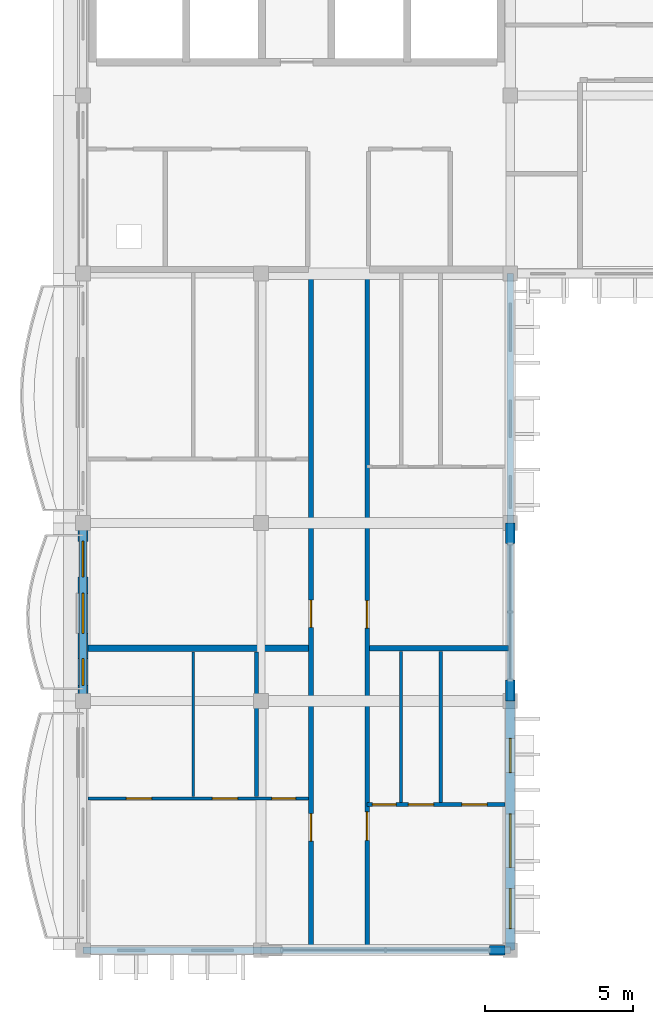
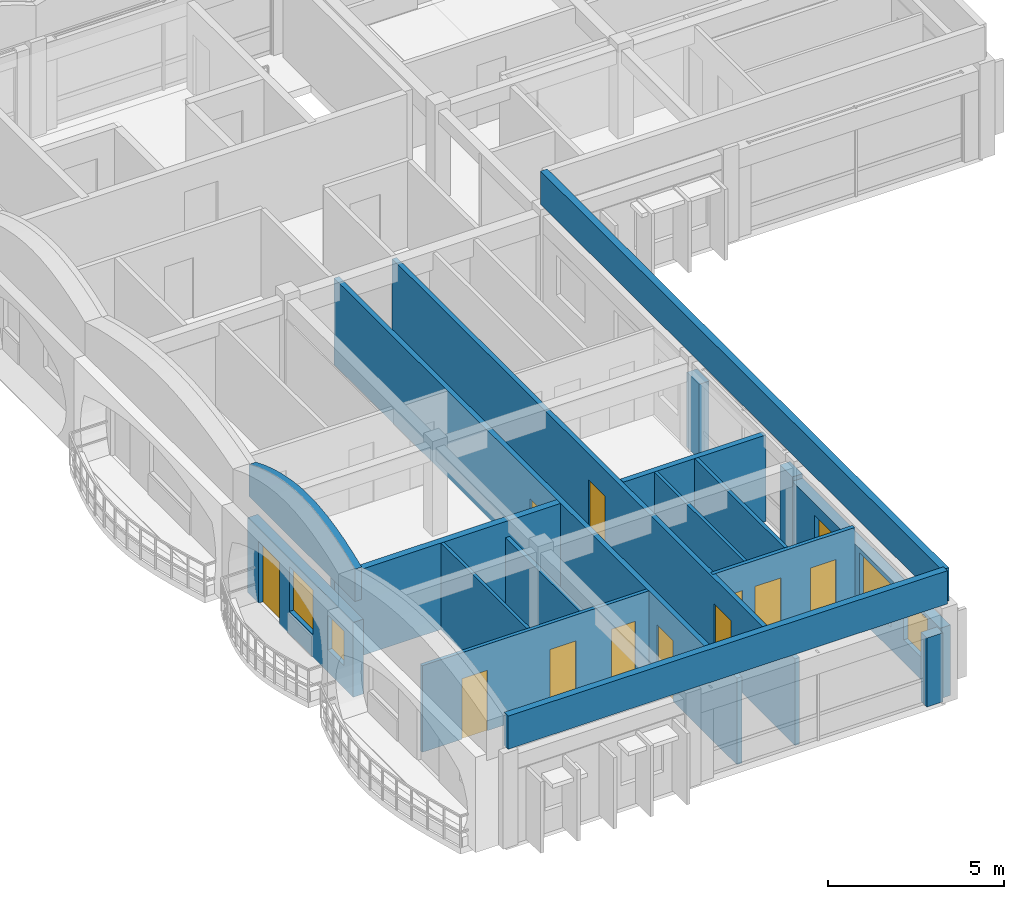
# One storey, part 5 of 12: 18 walls, 11 doors, 5 windows, 16 openings.
"""IFC4 building model written with IfcOpenShell, lengths in metres."""

from ifc_helpers import new_model, si_unit, direction, frame, frame_2d, origin, place, context, subcontext, project, spatial, polyline, rectangle, outline, extrude, material, layer, layer_set, type_object, element, fill, save


model = new_model("IFC4")

# Units and contexts
model_context = context("Model", 3, precision=1e-05, world=origin(), true_north=direction((0.0, 1.0)))
body_context = subcontext(model_context, "Body", "Model", "MODEL_VIEW")
ifc_project = project(units=[si_unit("LENGTHUNIT", "METRE"), si_unit("AREAUNIT", "SQUARE_METRE"), si_unit("VOLUMEUNIT", "CUBIC_METRE"), si_unit("PLANEANGLEUNIT", "RADIAN"), si_unit("MASSUNIT", "GRAM", prefix="KILO"), si_unit("THERMODYNAMICTEMPERATUREUNIT", "KELVIN")], contexts=[model_context])

# Site, building, storey
site_placement = place(None, origin())
site = spatial("IfcSite", under=ifc_project, at=site_placement, CompositionType="ELEMENT")
building_placement = place(site_placement, origin())
building = spatial("IfcBuilding", under=site, at=building_placement, Name="Thalorik Housing Commons", CompositionType="ELEMENT")
storey_placement = place(building_placement, frame((0.0, 0.0, 51.0)))
storey = spatial("IfcBuildingStorey", under=building, at=storey_placement, Name="L15", CompositionType="ELEMENT", Elevation=51.0)

# Wall, openings, doors
ifc_material_1 = material(Name="Masonry fire-rated corridor wall", Category="masonry")
ifc_layer_1 = layer(ifc_material_1, 0.14990234375, Name="Masonry fire-rated corridor wall", Category="masonry")
ifc_layer_set_1 = layer_set([ifc_layer_1], Name="Masonry fire-rated corridor wall")
wall_type_1 = type_object("IfcWallType", Name="ARC-WAL-CORR-150", PredefinedType="PARTITIONING", material=ifc_layer_set_1)
wall_1_placement = place(storey_placement, frame((17.97998046875, 86.4599609375, 0.0), z_axis=(0.0, 0.0, 1.0), x_axis=(0.0, 1.0, 0.0)))
wall_1 = element("IfcWall", 1, at=wall_1_placement, inside=storey, type_object=wall_type_1, Name="L15 Block A W Corridor Wall 2", PredefinedType="PARTITIONING", context=body_context, shape_type="SweptSolid", body=[
    extrude(rectangle(XDim=22.880126953125, YDim=0.14990234375, at=frame_2d((11.43994140625, 0.0))), origin(), (0.0, 0.0, 1.0), 3.0),
])
opening_1_placement = place(wall_1_placement, frame((3.642822265625, 0.0, 0.0)))
opening_1 = element("IfcOpeningElement", 2, at=opening_1_placement, cuts=wall_1, Name="Opening ID-0995", PredefinedType="OPENING", context=body_context, shape_type="SweptSolid", body=[
    extrude(rectangle(XDim=0.9599609375, YDim=2.1201171875, at=frame_2d((0.47998046875, 1.06005859375))), frame((0.0, 0.0849609375, 0.0), z_axis=(0.0, -1.0, 0.0), x_axis=(1.0, 0.0, 0.0)), (0.0, 0.0, 1.0), 0.169921875),
])
opening_2_placement = place(wall_1_placement, frame((10.7978515625, 0.0, 0.0)))
opening_2 = element("IfcOpeningElement", 3, at=opening_2_placement, cuts=wall_1, Name="Opening ID-0996", PredefinedType="OPENING", context=body_context, shape_type="SweptSolid", body=[
    extrude(rectangle(XDim=0.919921875, YDim=2.10009765625, at=frame_2d((0.4599609375, 1.050048828125))), frame((0.0, 0.0849609375, 0.0), z_axis=(0.0, -1.0, 0.0), x_axis=(1.0, 0.0, 0.0)), (0.0, 0.0, 1.0), 0.169921875),
])
ifc_material_2 = material(Name="Solid core hardwood timber", Category="wood")
door_type_1 = type_object("IfcDoorType", Name="ARC-DR-FD30-920", OperationType="NOTDEFINED", PredefinedType="DOOR", material=ifc_material_2)
door_1_placement = place(opening_2_placement, origin())
door_1 = element("IfcDoor", 4, at=door_1_placement, inside=storey, type_object=door_type_1, Name="L15 Flat AW-2B Entrance Door", OperationType="SINGLE_SWING_LEFT", OverallHeight=2.10009765625, OverallWidth=0.919921875, PredefinedType="DOOR", context=body_context, shape_type="SweptSolid", body=[
    extrude(rectangle(XDim=0.919921875, YDim=2.10009765625, at=frame_2d((0.4599609375, 1.050048828125))), frame((0.0, 0.02490234375, 0.0), z_axis=(0.0, -1.0, 0.0), x_axis=(1.0, 0.0, 0.0)), (0.0, 0.0, 1.0), 0.050048828125),
])
fill(opening_2, door_1)
door_type_2 = type_object("IfcDoorType", Name="ARC-DR-FD30-960", OperationType="NOTDEFINED", PredefinedType="DOOR", material=ifc_material_2)
door_2_placement = place(opening_1_placement, origin())
door_2 = element("IfcDoor", 5, at=door_2_placement, inside=storey, type_object=door_type_2, Name="L15 Flat AW-1B Entrance Door", OperationType="SINGLE_SWING_RIGHT", OverallHeight=2.1201171875, OverallWidth=0.9599609375, PredefinedType="DOOR", context=body_context, shape_type="SweptSolid", body=[
    extrude(rectangle(XDim=0.9599609375, YDim=2.1201171875, at=frame_2d((0.47998046875, 1.06005859375))), frame((0.0, 0.02490234375, 0.0), z_axis=(0.0, -1.0, 0.0), x_axis=(1.0, 0.0, 0.0)), (0.0, 0.0, 1.0), 0.050048828125),
])
fill(opening_1, door_2)

ifc_layer_2 = layer(ifc_material_1, 0.1650390625, Name="Masonry fire-rated corridor wall", Category="masonry")
ifc_layer_set_2 = layer_set([ifc_layer_2], Name="Masonry fire-rated corridor wall")
wall_type_2 = type_object("IfcWallType", Name="ARC-WAL-CORR-165", PredefinedType="PARTITIONING", material=ifc_layer_set_2)
wall_2_placement = place(storey_placement, frame((16.080078125, 86.4599609375, 0.0), z_axis=(0.0, 0.0, 1.0), x_axis=(0.0, 1.0, 0.0)))
wall_2 = element("IfcWall", 6, at=wall_2_placement, inside=storey, type_object=wall_type_2, Name="L15 Block A W Corridor Wall 1", PredefinedType="PARTITIONING", context=body_context, shape_type="SweptSolid", body=[
    extrude(rectangle(XDim=22.880126953125, YDim=0.1650390625, at=frame_2d((11.43994140625, 0.0))), origin(), (0.0, 0.0, 1.0), 3.0),
])
opening_3_placement = place(wall_2_placement, frame((3.620361328125, 0.0, 0.0)))
opening_3 = element("IfcOpeningElement", 7, at=opening_3_placement, cuts=wall_2, Name="Opening ID-0993", PredefinedType="OPENING", context=body_context, shape_type="SweptSolid", body=[
    extrude(rectangle(XDim=0.919921875, YDim=2.10009765625, at=frame_2d((0.4599609375, 1.050048828125))), frame((0.0, 0.092529296875, 0.0), z_axis=(0.0, -1.0, 0.0), x_axis=(1.0, 0.0, 0.0)), (0.0, 0.0, 1.0), 0.18505859375),
])
opening_4_placement = place(wall_2_placement, frame((10.82177734375, 0.0, 0.0)))
opening_4 = element("IfcOpeningElement", 8, at=opening_4_placement, cuts=wall_2, Name="Opening ID-0994", PredefinedType="OPENING", context=body_context, shape_type="SweptSolid", body=[
    extrude(rectangle(XDim=0.919921875, YDim=2.10009765625, at=frame_2d((0.4599609375, 1.050048828125))), frame((0.0, 0.092529296875, 0.0), z_axis=(0.0, -1.0, 0.0), x_axis=(1.0, 0.0, 0.0)), (0.0, 0.0, 1.0), 0.18505859375),
])
door_3_placement = place(opening_3_placement, origin())
door_3 = element("IfcDoor", 9, at=door_3_placement, inside=storey, type_object=door_type_1, Name="L15 Flat AW-1A Entrance Door", OperationType="SINGLE_SWING_RIGHT", OverallHeight=2.10009765625, OverallWidth=0.919921875, PredefinedType="DOOR", context=body_context, shape_type="SweptSolid", body=[
    extrude(rectangle(XDim=0.919921875, YDim=2.10009765625, at=frame_2d((0.4599609375, 1.050048828125))), frame((0.0, 0.02490234375, 0.0), z_axis=(0.0, -1.0, 0.0), x_axis=(1.0, 0.0, 0.0)), (0.0, 0.0, 1.0), 0.050048828125),
])
fill(opening_3, door_3)
door_4_placement = place(opening_4_placement, origin())
door_4 = element("IfcDoor", 10, at=door_4_placement, inside=storey, type_object=door_type_1, Name="L15 Flat AW-2A Entrance Door", OperationType="SINGLE_SWING_LEFT", OverallHeight=2.10009765625, OverallWidth=0.919921875, PredefinedType="DOOR", context=body_context, shape_type="SweptSolid", body=[
    extrude(rectangle(XDim=0.919921875, YDim=2.10009765625, at=frame_2d((0.4599609375, 1.050048828125))), frame((0.0, 0.02490234375, 0.0), z_axis=(0.0, -1.0, 0.0), x_axis=(1.0, 0.0, 0.0)), (0.0, 0.0, 1.0), 0.050048828125),
])
fill(opening_4, door_4)

# Wall, openings, door, windows
ifc_material_3 = material(Name="White precast concrete C40/50", Category="concrete")
ifc_layer_3 = layer(ifc_material_3, 0.3349609375, Name="White precast concrete C40/50", Category="concrete")
ifc_layer_set_3 = layer_set([ifc_layer_3], Name="White precast concrete C40/50")
wall_type_3 = type_object("IfcWallType", Name="ARC-WAL-EXT-335", PredefinedType="STANDARD", material=ifc_layer_set_3)
wall_3_placement = place(storey_placement, frame((8.39990234375, 100.800048828125, 0.0), z_axis=(0.0, 0.0, 1.0), x_axis=(0.0, -1.0, 0.0)))
wall_3 = element("IfcWall", 11, at=wall_3_placement, inside=storey, type_object=wall_type_3, Name="L15 Exterior Wall WAL-EXT-L15-A-0362", PredefinedType="STANDARD", context=body_context, shape_type="SweptSolid", body=[
    extrude(rectangle(XDim=6.0, YDim=0.3349609375, at=frame_2d((3.0, 0.0))), origin(), (0.0, 0.0, 1.0), 2.594970703125),
])
opening_5_placement = place(wall_3_placement, frame((0.6201171875, 0.0, 0.0)))
opening_5 = element("IfcOpeningElement", 12, at=opening_5_placement, cuts=wall_3, Name="Opening ED-0114", PredefinedType="OPENING", context=body_context, shape_type="SweptSolid", body=[
    extrude(rectangle(XDim=1.199951171875, YDim=2.14990234375, at=frame_2d((0.60009765625, 1.074951171875))), frame((0.0, 0.177490234375, 0.0), z_axis=(0.0, -1.0, 0.0), x_axis=(1.0, 0.0, 0.0)), (0.0, 0.0, 1.0), 0.35498046875),
])
opening_6_placement = place(wall_3_placement, frame((2.375, 0.0, 0.780029296875)))
opening_6 = element("IfcOpeningElement", 13, at=opening_6_placement, cuts=wall_3, Name="Opening W-07", PredefinedType="OPENING", context=body_context, shape_type="SweptSolid", body=[
    extrude(rectangle(XDim=1.35009765625, YDim=1.550048828125, at=frame_2d((0.675048828125, 0.77490234375))), frame((0.0, 0.177490234375, 0.0), z_axis=(0.0, -1.0, 0.0), x_axis=(1.0, 0.0, 0.0)), (0.0, 0.0, 1.0), 0.35498046875),
])
opening_7_placement = place(wall_3_placement, frame((4.570068359375, 0.0, 0.780029296875)))
opening_7 = element("IfcOpeningElement", 14, at=opening_7_placement, cuts=wall_3, Name="Opening W-01", PredefinedType="OPENING", context=body_context, shape_type="SweptSolid", body=[
    extrude(rectangle(XDim=0.89990234375, YDim=1.199951171875, at=frame_2d((0.449951171875, 0.60009765625))), frame((0.0, 0.177490234375, 0.0), z_axis=(0.0, -1.0, 0.0), x_axis=(1.0, 0.0, 0.0)), (0.0, 0.0, 1.0), 0.35498046875),
])
ifc_material_4 = material(Name="Anodised aluminium and laminated safety glass", Category="aluminium")
door_type_3 = type_object("IfcDoorType", Name="ARC-DR-BAL-1200", OperationType="NOTDEFINED", PredefinedType="DOOR", material=ifc_material_4)
door_5_placement = place(opening_5_placement, frame((1.199951171875, 0.0, 0.0), z_axis=(0.0, 0.0, 1.0), x_axis=(-1.0, 0.0, 0.0)))
door_5 = element("IfcDoor", 15, at=door_5_placement, inside=storey, type_object=door_type_3, Name="L15 Block A Balcony Glazed Door", OperationType="SINGLE_SWING_LEFT", OverallHeight=2.14990234375, OverallWidth=1.199951171875, PredefinedType="DOOR", context=body_context, shape_type="SweptSolid", body=[
    extrude(rectangle(XDim=1.199951171875, YDim=2.14990234375, at=frame_2d((0.60009765625, 1.074951171875))), frame((0.0, 0.02490234375, 0.0), z_axis=(0.0, -1.0, 0.0), x_axis=(1.0, 0.0, 0.0)), (0.0, 0.0, 1.0), 0.050048828125),
])
fill(opening_5, door_5)
ifc_material_5 = material(Name="Anodised aluminium and solar-control low-E glass", Category="aluminium")
window_type_1 = type_object("IfcWindowType", Name="ARC-WIN-01", PartitioningType="SINGLE_PANEL", PredefinedType="WINDOW", material=ifc_material_5)
window_1_placement = place(opening_7_placement, origin())
window_1 = element("IfcWindow", 16, at=window_1_placement, inside=storey, type_object=window_type_1, Name="L15 Facade Window 644", OverallHeight=1.199951171875, OverallWidth=0.89990234375, PartitioningType="SINGLE_PANEL", PredefinedType="WINDOW", context=body_context, shape_type="SweptSolid", body=[
    extrude(rectangle(XDim=0.89990234375, YDim=1.199951171875, at=frame_2d((0.449951171875, 0.60009765625))), frame((0.0, 0.030029296875, 0.0), z_axis=(0.0, -1.0, 0.0), x_axis=(1.0, 0.0, 0.0)), (0.0, 0.0, 1.0), 0.06005859375),
])
fill(opening_7, window_1)
window_type_2 = type_object("IfcWindowType", Name="ARC-WIN-07", PartitioningType="SINGLE_PANEL", PredefinedType="WINDOW", material=ifc_material_5)
window_2_placement = place(opening_6_placement, origin())
window_2 = element("IfcWindow", 17, at=window_2_placement, inside=storey, type_object=window_type_2, Name="L15 Facade Window 643", OverallHeight=1.550048828125, OverallWidth=1.35009765625, PartitioningType="SINGLE_PANEL", PredefinedType="WINDOW", context=body_context, shape_type="SweptSolid", body=[
    extrude(rectangle(XDim=1.35009765625, YDim=1.550048828125, at=frame_2d((0.675048828125, 0.77490234375))), frame((0.0, 0.030029296875, 0.0), z_axis=(0.0, -1.0, 0.0), x_axis=(1.0, 0.0, 0.0)), (0.0, 0.0, 1.0), 0.06005859375),
])
fill(opening_6, window_2)

# Wall
wall_4_placement = place(storey_placement, frame((22.10009765625, 86.39990234375, 0.0), z_axis=(0.0, 0.0, 1.0), x_axis=(1.0, 0.0, 0.0)))
element("IfcWall", 18, at=wall_4_placement, inside=storey, type_object=wall_type_3, Name="L15 Exterior Wall WAL-PIERR-L15-A-0365", PredefinedType="STANDARD", context=body_context, shape_type="SweptSolid", body=[
    extrude(rectangle(XDim=0.530517578125, YDim=0.3349609375, at=frame_2d((0.26513671875, 0.0))), origin(), (0.0, 0.0, 1.0), 2.39501953125),
])

# Wall, openings, windows
wall_5_placement = place(storey_placement, frame((22.800048828125, 86.39990234375, 0.0), z_axis=(0.0, 0.0, 1.0), x_axis=(0.0, 1.0, 0.0)))
wall_5 = element("IfcWall", 19, at=wall_5_placement, inside=storey, type_object=wall_type_3, Name="L15 Exterior Wall WAL-EXT-L15-A-0366", PredefinedType="STANDARD", context=body_context, shape_type="SweptSolid", body=[
    extrude(rectangle(XDim=8.400146484375, YDim=0.3349609375, at=frame_2d((4.2001953125, 0.0))), origin(), (0.0, 0.0, 1.0), 2.445068359375),
])
opening_8_placement = place(wall_5_placement, frame((0.730712890625, 0.0, 0.780029296875)))
opening_8 = element("IfcOpeningElement", 20, at=opening_8_placement, cuts=wall_5, Name="Opening W-07", PredefinedType="OPENING", context=body_context, shape_type="SweptSolid", body=[
    extrude(rectangle(XDim=1.35009765625, YDim=1.550048828125, at=frame_2d((0.675048828125, 0.77490234375))), frame((0.0, 0.177490234375, 0.0), z_axis=(0.0, -1.0, 0.0), x_axis=(1.0, 0.0, 0.0)), (0.0, 0.0, 1.0), 0.35498046875),
])
opening_9_placement = place(wall_5_placement, frame((2.797119140625, 0.0, 0.780029296875)))
opening_9 = element("IfcOpeningElement", 21, at=opening_9_placement, cuts=wall_5, Name="Opening W-18", PredefinedType="OPENING", context=body_context, shape_type="SweptSolid", body=[
    extrude(rectangle(XDim=1.800048828125, YDim=1.5, at=frame_2d((0.89990234375, 0.75))), frame((0.0, 0.177490234375, 0.0), z_axis=(0.0, -1.0, 0.0), x_axis=(1.0, 0.0, 0.0)), (0.0, 0.0, 1.0), 0.35498046875),
])
opening_10_placement = place(wall_5_placement, frame((5.986328125, 0.0, 0.780029296875)))
opening_10 = element("IfcOpeningElement", 22, at=opening_10_placement, cuts=wall_5, Name="Opening W-45", PredefinedType="OPENING", context=body_context, shape_type="SweptSolid", body=[
    extrude(rectangle(XDim=1.14990234375, YDim=1.25, at=frame_2d((0.574951171875, 0.625))), frame((0.0, 0.177490234375, 0.0), z_axis=(0.0, -1.0, 0.0), x_axis=(1.0, 0.0, 0.0)), (0.0, 0.0, 1.0), 0.35498046875),
])
window_3_placement = place(opening_8_placement, origin())
window_3 = element("IfcWindow", 23, at=window_3_placement, inside=storey, type_object=window_type_2, Name="L15 Facade Window 649", OverallHeight=1.550048828125, OverallWidth=1.35009765625, PartitioningType="SINGLE_PANEL", PredefinedType="WINDOW", context=body_context, shape_type="SweptSolid", body=[
    extrude(rectangle(XDim=1.35009765625, YDim=1.550048828125, at=frame_2d((0.675048828125, 0.77490234375))), frame((0.0, 0.030029296875, 0.0), z_axis=(0.0, -1.0, 0.0), x_axis=(1.0, 0.0, 0.0)), (0.0, 0.0, 1.0), 0.06005859375),
])
fill(opening_8, window_3)
window_type_3 = type_object("IfcWindowType", Name="ARC-WIN-18", PartitioningType="DOUBLE_PANEL_VERTICAL", PredefinedType="WINDOW", material=ifc_material_5)
window_4_placement = place(opening_9_placement, origin())
window_4 = element("IfcWindow", 24, at=window_4_placement, inside=storey, type_object=window_type_3, Name="L15 Facade Window 650", OverallHeight=1.5, OverallWidth=1.800048828125, PartitioningType="DOUBLE_PANEL_VERTICAL", PredefinedType="WINDOW", context=body_context, shape_type="SweptSolid", body=[
    extrude(rectangle(XDim=1.800048828125, YDim=1.5, at=frame_2d((0.89990234375, 0.75))), frame((0.0, 0.030029296875, 0.0), z_axis=(0.0, -1.0, 0.0), x_axis=(1.0, 0.0, 0.0)), (0.0, 0.0, 1.0), 0.06005859375),
])
fill(opening_9, window_4)
window_type_4 = type_object("IfcWindowType", Name="ARC-WIN-45", PartitioningType="SINGLE_PANEL", PredefinedType="WINDOW", material=ifc_material_5)
window_5_placement = place(opening_10_placement, origin())
window_5 = element("IfcWindow", 25, at=window_5_placement, inside=storey, type_object=window_type_4, Name="L15 Facade Window 651", OverallHeight=1.25, OverallWidth=1.14990234375, PartitioningType="SINGLE_PANEL", PredefinedType="WINDOW", context=body_context, shape_type="SweptSolid", body=[
    extrude(rectangle(XDim=1.14990234375, YDim=1.25, at=frame_2d((0.574951171875, 0.625))), frame((0.0, 0.030029296875, 0.0), z_axis=(0.0, -1.0, 0.0), x_axis=(1.0, 0.0, 0.0)), (0.0, 0.0, 1.0), 0.06005859375),
])
fill(opening_10, window_5)

# Walls
for number, where, z_axis, x_axis, name in (
    (26, (22.800048828125, 94.800048828125, 0.0), (0.0, 0.0, 1.0), (0.0, 1.0, 0.0), "L15 Exterior Wall WAL-PIERL-L15-A-0367"),
    (27, (22.800048828125, 100.10009765625, 0.0), (0.0, 0.0, 1.0), (0.0, 1.0, 0.0), "L15 Exterior Wall WAL-PIERR-L15-A-0367"),
):
    element("IfcWall", number, at=place(storey_placement, frame(where, z_axis=z_axis, x_axis=x_axis)), inside=storey, type_object=wall_type_3, Name=name, PredefinedType="STANDARD", context=body_context, shape_type="SweptSolid", body=[
        extrude(rectangle(XDim=0.699951171875, YDim=0.3349609375, at=frame_2d((0.35009765625, 0.0))), origin(), (0.0, 0.0, 1.0), 2.594970703125),
    ])
ifc_layer_4 = layer(ifc_material_3, 0.22509765625, Name="White precast concrete C40/50", Category="concrete")
ifc_layer_set_4 = layer_set([ifc_layer_4], Name="White precast concrete C40/50")
wall_type_4 = type_object("IfcWallType", Name="ARC-WAL-PAR-225", PredefinedType="PARAPET", material=ifc_layer_set_4)
wall_6_placement = place(storey_placement, frame((8.39990234375, 100.800048828125, 3.300048828125), z_axis=(0.0, 0.0, 1.0), x_axis=(0.0, -1.0, 0.0)))
element("IfcWall", 28, at=wall_6_placement, inside=storey, type_object=wall_type_4, Name="L15 Block A Scalloped Arched Roof Parapet 10", PredefinedType="PARAPET", context=body_context, shape_type="SweptSolid", body=[
    extrude(outline(polyline([(0.0, 0.0), (6.0, 0.0), (6.0, 1.119873046875), (5.5, 1.321533203125), (5.0, 1.484375), (4.5, 1.61767578125), (4.0, 1.71728515625), (3.5, 1.779052734375), (3.0, 1.800048828125), (2.5, 1.779052734375), (2.0, 1.71728515625), (1.5, 1.61767578125), (1.0, 1.484375), (0.5, 1.321533203125), (0.0, 1.119873046875), (0.0, 0.0)])), frame((0.0, 0.112548828125, 0.0), z_axis=(0.0, -1.0, 0.0), x_axis=(1.0, 0.0, 0.0)), (0.0, 0.0, 1.0), 0.22509765625),
])
wall_7_placement = place(storey_placement, frame((8.39990234375, 86.39990234375, 3.300048828125), z_axis=(0.0, 0.0, 1.0), x_axis=(1.0, 0.0, 0.0)))
element("IfcWall", 29, at=wall_7_placement, inside=storey, type_object=wall_type_4, Name="L15 Block A Roof Parapet 12", PredefinedType="PARAPET", context=body_context, shape_type="SweptSolid", body=[
    extrude(rectangle(XDim=14.400146484375, YDim=0.22509765625, at=frame_2d((7.2001953125, 0.0))), origin(), (0.0, 0.0, 1.0), 1.14990234375),
])
wall_8_placement = place(storey_placement, frame((22.800048828125, 86.39990234375, 3.300048828125), z_axis=(0.0, 0.0, 1.0), x_axis=(0.0, 1.0, 0.0)))
element("IfcWall", 30, at=wall_8_placement, inside=storey, type_object=wall_type_4, Name="L15 Block A Roof Parapet 13", PredefinedType="PARAPET", context=body_context, shape_type="SweptSolid", body=[
    extrude(rectangle(XDim=22.800048828125, YDim=0.22509765625, at=frame_2d((11.39990234375, 0.0))), origin(), (0.0, 0.0, 1.0), 1.14990234375),
])
ifc_material_6 = material(Name="Gypsum light stud partition", Category="masonry")
ifc_layer_5 = layer(ifc_material_6, 0.10009765625, Name="Gypsum light stud partition", Category="masonry")
ifc_layer_set_5 = layer_set([ifc_layer_5], Name="Gypsum light stud partition")
wall_type_5 = type_object("IfcWallType", Name="ARC-WAL-PART-100", PredefinedType="PARTITIONING", material=ifc_layer_set_5)
wall_9_placement = place(storey_placement, frame((12.11767578125, 91.574462890625, 0.0), z_axis=(0.0, 0.0, 1.0), x_axis=(0.0, 1.0, 0.0)))
element("IfcWall", 31, at=wall_9_placement, inside=storey, type_object=wall_type_5, Name="L15 Unit 1 Bedroom Partition", PredefinedType="PARTITIONING", context=body_context, shape_type="SweptSolid", body=[
    extrude(rectangle(XDim=4.883544921875, YDim=0.10009765625, at=frame_2d((2.44189453125, 0.0))), origin(), (0.0, 0.0, 1.0), 3.0),
])
wall_10_placement = place(storey_placement, frame((19.122314453125, 91.377197265625, 0.0), z_axis=(0.0, 0.0, 1.0), x_axis=(0.0, 1.0, 0.0)))
element("IfcWall", 32, at=wall_10_placement, inside=storey, type_object=wall_type_5, Name="L15 Unit 1B Wet Wall", PredefinedType="PARTITIONING", context=body_context, shape_type="SweptSolid", body=[
    extrude(rectangle(XDim=5.098388671875, YDim=0.10009765625, at=frame_2d((2.54931640625, 0.0))), origin(), (0.0, 0.0, 1.0), 3.0),
])

# Wall, openings, doors
ifc_material_7 = material(Name="Gypsum moisture-resistant partition", Category="masonry")
ifc_layer_6 = layer(ifc_material_7, 0.114990234375, Name="Gypsum moisture-resistant partition", Category="masonry")
ifc_layer_set_6 = layer_set([ifc_layer_6], Name="Gypsum moisture-resistant partition")
wall_type_6 = type_object("IfcWallType", Name="ARC-WAL-PART-115", PredefinedType="PARTITIONING", material=ifc_layer_set_6)
wall_11_placement = place(storey_placement, frame((8.569580078125, 91.514892578125, 0.0), z_axis=(0.0, 0.0, 1.0), x_axis=(1.0, 0.0, 0.0)))
wall_11 = element("IfcWall", 33, at=wall_11_placement, inside=storey, type_object=wall_type_6, Name="L15 Unit 1 Spine Partition", PredefinedType="PARTITIONING", context=body_context, shape_type="SweptSolid", body=[
    extrude(rectangle(XDim=7.426025390625, YDim=0.114990234375, at=frame_2d((3.712890625, 0.0))), origin(), (0.0, 0.0, 1.0), 3.0),
])
opening_11_placement = place(wall_11_placement, frame((1.294189453125, 0.0, 0.0)))
opening_11 = element("IfcOpeningElement", 34, at=opening_11_placement, cuts=wall_11, Name="Opening ID-0981", PredefinedType="OPENING", context=body_context, shape_type="SweptSolid", body=[
    extrude(rectangle(XDim=0.85009765625, YDim=2.10009765625, at=frame_2d((0.425048828125, 1.050048828125))), frame((0.0, 0.0673828125, 0.0), z_axis=(0.0, -1.0, 0.0), x_axis=(1.0, 0.0, 0.0)), (0.0, 0.0, 1.0), 0.135009765625),
])
opening_12_placement = place(wall_11_placement, frame((4.18994140625, 0.0, 0.0)))
opening_12 = element("IfcOpeningElement", 35, at=opening_12_placement, cuts=wall_11, Name="Opening ID-0982", PredefinedType="OPENING", context=body_context, shape_type="SweptSolid", body=[
    extrude(rectangle(XDim=0.85009765625, YDim=2.10009765625, at=frame_2d((0.425048828125, 1.050048828125))), frame((0.0, 0.0673828125, 0.0), z_axis=(0.0, -1.0, 0.0), x_axis=(1.0, 0.0, 0.0)), (0.0, 0.0, 1.0), 0.135009765625),
])
opening_13_placement = place(wall_11_placement, frame((6.196044921875, 0.0, 0.0)))
opening_13 = element("IfcOpeningElement", 36, at=opening_13_placement, cuts=wall_11, Name="Opening ID-0983", PredefinedType="OPENING", context=body_context, shape_type="SweptSolid", body=[
    extrude(rectangle(XDim=0.800048828125, YDim=2.10009765625, at=frame_2d((0.39990234375, 1.050048828125))), frame((0.0, 0.0673828125, 0.0), z_axis=(0.0, -1.0, 0.0), x_axis=(1.0, 0.0, 0.0)), (0.0, 0.0, 1.0), 0.135009765625),
])
ifc_material_8 = material(Name="Moisture-resistant timber", Category="wood")
door_type_4 = type_object("IfcDoorType", Name="ARC-DR-INT-800", OperationType="NOTDEFINED", PredefinedType="DOOR", material=ifc_material_8)
door_6_placement = place(opening_13_placement, origin())
door_6 = element("IfcDoor", 37, at=door_6_placement, inside=storey, type_object=door_type_4, Name="L15 Flat Bathroom Door", OperationType="SINGLE_SWING_RIGHT", OverallHeight=2.10009765625, OverallWidth=0.800048828125, PredefinedType="DOOR", context=body_context, shape_type="SweptSolid", body=[
    extrude(rectangle(XDim=0.800048828125, YDim=2.10009765625, at=frame_2d((0.39990234375, 1.050048828125))), frame((0.0, 0.02490234375, 0.0), z_axis=(0.0, -1.0, 0.0), x_axis=(1.0, 0.0, 0.0)), (0.0, 0.0, 1.0), 0.050048828125),
])
fill(opening_13, door_6)
ifc_material_9 = material(Name="Engineered oak timber", Category="wood")
door_type_5 = type_object("IfcDoorType", Name="ARC-DR-INT-850", OperationType="NOTDEFINED", PredefinedType="DOOR", material=ifc_material_9)
door_7_placement = place(opening_11_placement, origin())
door_7 = element("IfcDoor", 38, at=door_7_placement, inside=storey, type_object=door_type_5, Name="L15 Double Bedroom Door", OperationType="SINGLE_SWING_RIGHT", OverallHeight=2.10009765625, OverallWidth=0.85009765625, PredefinedType="DOOR", context=body_context, shape_type="SweptSolid", body=[
    extrude(rectangle(XDim=0.85009765625, YDim=2.10009765625, at=frame_2d((0.425048828125, 1.050048828125))), frame((0.0, 0.02490234375, 0.0), z_axis=(0.0, -1.0, 0.0), x_axis=(1.0, 0.0, 0.0)), (0.0, 0.0, 1.0), 0.050048828125),
])
fill(opening_11, door_7)
door_8_placement = place(opening_12_placement, origin())
door_8 = element("IfcDoor", 39, at=door_8_placement, inside=storey, type_object=door_type_5, Name="L15 Galley Kitchen Door", OperationType="SINGLE_SWING_LEFT", OverallHeight=2.10009765625, OverallWidth=0.85009765625, PredefinedType="DOOR", context=body_context, shape_type="SweptSolid", body=[
    extrude(rectangle(XDim=0.85009765625, YDim=2.10009765625, at=frame_2d((0.425048828125, 1.050048828125))), frame((0.0, 0.02490234375, 0.0), z_axis=(0.0, -1.0, 0.0), x_axis=(1.0, 0.0, 0.0)), (0.0, 0.0, 1.0), 0.050048828125),
])
fill(opening_12, door_8)

# Wall
wall_12_placement = place(storey_placement, frame((20.455078125, 91.377197265625, 0.0), z_axis=(0.0, 0.0, 1.0), x_axis=(0.0, 1.0, 0.0)))
element("IfcWall", 40, at=wall_12_placement, inside=storey, type_object=wall_type_6, Name="L15 Unit 1B Bedroom Partition", PredefinedType="PARTITIONING", context=body_context, shape_type="SweptSolid", body=[
    extrude(rectangle(XDim=5.098388671875, YDim=0.114990234375, at=frame_2d((2.54931640625, 0.0))), origin(), (0.0, 0.0, 1.0), 3.0),
])

# Wall, openings, doors
ifc_material_10 = material(Name="Gypsum acoustic stud partition", Category="masonry")
ifc_layer_7 = layer(ifc_material_10, 0.125, Name="Gypsum acoustic stud partition", Category="masonry")
ifc_layer_set_7 = layer_set([ifc_layer_7], Name="Gypsum acoustic stud partition")
wall_type_7 = type_object("IfcWallType", Name="ARC-WAL-PART-125", PredefinedType="PARTITIONING", material=ifc_layer_set_7)
wall_13_placement = place(storey_placement, frame((17.97998046875, 91.312744140625, 0.0), z_axis=(0.0, 0.0, 1.0), x_axis=(1.0, 0.0, 0.0)))
wall_13 = element("IfcWall", 41, at=wall_13_placement, inside=storey, type_object=wall_type_7, Name="L15 Unit 1B Spine Partition", PredefinedType="PARTITIONING", context=body_context, shape_type="SweptSolid", body=[
    extrude(rectangle(XDim=4.650634765625, YDim=0.125, at=frame_2d((2.3251953125, 0.0))), origin(), (0.0, 0.0, 1.0), 3.0),
])
opening_14_placement = place(wall_13_placement, frame((0.171142578125, 0.0, 0.0)))
opening_14 = element("IfcOpeningElement", 42, at=opening_14_placement, cuts=wall_13, Name="Opening ID-0984", PredefinedType="OPENING", context=body_context, shape_type="SweptSolid", body=[
    extrude(rectangle(XDim=0.800048828125, YDim=2.10009765625, at=frame_2d((0.39990234375, 1.050048828125))), frame((0.0, 0.072509765625, 0.0), z_axis=(0.0, -1.0, 0.0), x_axis=(1.0, 0.0, 0.0)), (0.0, 0.0, 1.0), 0.14501953125),
])
opening_15_placement = place(wall_13_placement, frame((1.3837890625, 0.0, 0.0)))
opening_15 = element("IfcOpeningElement", 43, at=opening_15_placement, cuts=wall_13, Name="Opening ID-0985", PredefinedType="OPENING", context=body_context, shape_type="SweptSolid", body=[
    extrude(rectangle(XDim=0.85009765625, YDim=2.10009765625, at=frame_2d((0.425048828125, 1.050048828125))), frame((0.0, 0.072509765625, 0.0), z_axis=(0.0, -1.0, 0.0), x_axis=(1.0, 0.0, 0.0)), (0.0, 0.0, 1.0), 0.14501953125),
])
opening_16_placement = place(wall_13_placement, frame((3.192626953125, 0.0, 0.0)))
opening_16 = element("IfcOpeningElement", 44, at=opening_16_placement, cuts=wall_13, Name="Opening ID-0986", PredefinedType="OPENING", context=body_context, shape_type="SweptSolid", body=[
    extrude(rectangle(XDim=0.85009765625, YDim=2.10009765625, at=frame_2d((0.425048828125, 1.050048828125))), frame((0.0, 0.072509765625, 0.0), z_axis=(0.0, -1.0, 0.0), x_axis=(1.0, 0.0, 0.0)), (0.0, 0.0, 1.0), 0.14501953125),
])
door_9_placement = place(opening_14_placement, origin())
door_9 = element("IfcDoor", 45, at=door_9_placement, inside=storey, type_object=door_type_4, Name="L15 Flat Bathroom Door", OperationType="SINGLE_SWING_LEFT", OverallHeight=2.10009765625, OverallWidth=0.800048828125, PredefinedType="DOOR", context=body_context, shape_type="SweptSolid", body=[
    extrude(rectangle(XDim=0.800048828125, YDim=2.10009765625, at=frame_2d((0.39990234375, 1.050048828125))), frame((0.0, 0.02490234375, 0.0), z_axis=(0.0, -1.0, 0.0), x_axis=(1.0, 0.0, 0.0)), (0.0, 0.0, 1.0), 0.050048828125),
])
fill(opening_14, door_9)
door_10_placement = place(opening_15_placement, origin())
door_10 = element("IfcDoor", 46, at=door_10_placement, inside=storey, type_object=door_type_5, Name="L15 Eat-In Kitchen Door", OperationType="SINGLE_SWING_RIGHT", OverallHeight=2.10009765625, OverallWidth=0.85009765625, PredefinedType="DOOR", context=body_context, shape_type="SweptSolid", body=[
    extrude(rectangle(XDim=0.85009765625, YDim=2.10009765625, at=frame_2d((0.425048828125, 1.050048828125))), frame((0.0, 0.02490234375, 0.0), z_axis=(0.0, -1.0, 0.0), x_axis=(1.0, 0.0, 0.0)), (0.0, 0.0, 1.0), 0.050048828125),
])
fill(opening_15, door_10)
door_11_placement = place(opening_16_placement, origin())
door_11 = element("IfcDoor", 47, at=door_11_placement, inside=storey, type_object=door_type_5, Name="L15 Master Bedroom Door", OperationType="SINGLE_SWING_LEFT", OverallHeight=2.10009765625, OverallWidth=0.85009765625, PredefinedType="DOOR", context=body_context, shape_type="SweptSolid", body=[
    extrude(rectangle(XDim=0.85009765625, YDim=2.10009765625, at=frame_2d((0.425048828125, 1.050048828125))), frame((0.0, 0.02490234375, 0.0), z_axis=(0.0, -1.0, 0.0), x_axis=(1.0, 0.0, 0.0)), (0.0, 0.0, 1.0), 0.050048828125),
])
fill(opening_16, door_11)

# Walls
ifc_material_11 = material(Name="Ceramic masonry partition wall", Category="masonry")
ifc_layer_8 = layer(ifc_material_11, 0.139892578125, Name="Ceramic masonry partition wall", Category="masonry")
ifc_layer_set_8 = layer_set([ifc_layer_8], Name="Ceramic masonry partition wall")
wall_type_8 = type_object("IfcWallType", Name="ARC-WAL-PART-140", PredefinedType="PARTITIONING", material=ifc_layer_set_8)
wall_14_placement = place(storey_placement, frame((14.251220703125, 91.574462890625, 0.0), z_axis=(0.0, 0.0, 1.0), x_axis=(0.0, 1.0, 0.0)))
element("IfcWall", 48, at=wall_14_placement, inside=storey, type_object=wall_type_8, Name="L15 Unit 1 Wet Wall", PredefinedType="PARTITIONING", context=body_context, shape_type="SweptSolid", body=[
    extrude(rectangle(XDim=4.883544921875, YDim=0.139892578125, at=frame_2d((2.44189453125, 0.0))), origin(), (0.0, 0.0, 1.0), 2.445068359375),
])
ifc_material_12 = material(Name="Masonry acoustic blockwork wall", Category="masonry")
ifc_layer_9 = layer(ifc_material_12, 0.18505859375, Name="Masonry acoustic blockwork wall", Category="masonry")
ifc_layer_set_9 = layer_set([ifc_layer_9], Name="Masonry acoustic blockwork wall")
wall_type_9 = type_object("IfcWallType", Name="ARC-WAL-PARTY-185", PredefinedType="PARTITIONING", material=ifc_layer_set_9)
wall_15_placement = place(storey_placement, frame((18.056884765625, 96.570068359375, 0.0), z_axis=(0.0, 0.0, 1.0), x_axis=(1.0, 0.0, 0.0)))
element("IfcWall", 49, at=wall_15_placement, inside=storey, type_object=wall_type_9, Name="L15 Inter-Tenancy Wall 1B", PredefinedType="PARTITIONING", context=body_context, shape_type="SweptSolid", body=[
    extrude(rectangle(XDim=4.68310546875, YDim=0.18505859375, at=frame_2d((2.341552734375, 0.0))), origin(), (0.0, 0.0, 1.0), 3.0),
])
ifc_material_13 = material(Name="Precast concrete C40/50 acoustic wall", Category="concrete")
ifc_layer_10 = layer(ifc_material_13, 0.219970703125, Name="Precast concrete C40/50 acoustic wall", Category="concrete")
ifc_layer_set_10 = layer_set([ifc_layer_10], Name="Precast concrete C40/50 acoustic wall")
wall_type_10 = type_object("IfcWallType", Name="ARC-WAL-PARTY-220", PredefinedType="PARTITIONING", material=ifc_layer_set_10)
wall_16_placement = place(storey_placement, frame((8.569580078125, 96.570068359375, 0.0), z_axis=(0.0, 0.0, 1.0), x_axis=(1.0, 0.0, 0.0)))
element("IfcWall", 50, at=wall_16_placement, inside=storey, type_object=wall_type_10, Name="L15 Inter-Tenancy Wall 1A", PredefinedType="PARTITIONING", context=body_context, shape_type="SweptSolid", body=[
    extrude(rectangle(XDim=7.426025390625, YDim=0.219970703125, at=frame_2d((3.712890625, 0.0))), origin(), (0.0, 0.0, 1.0), 3.0),
])

save(model, "model.ifc")
